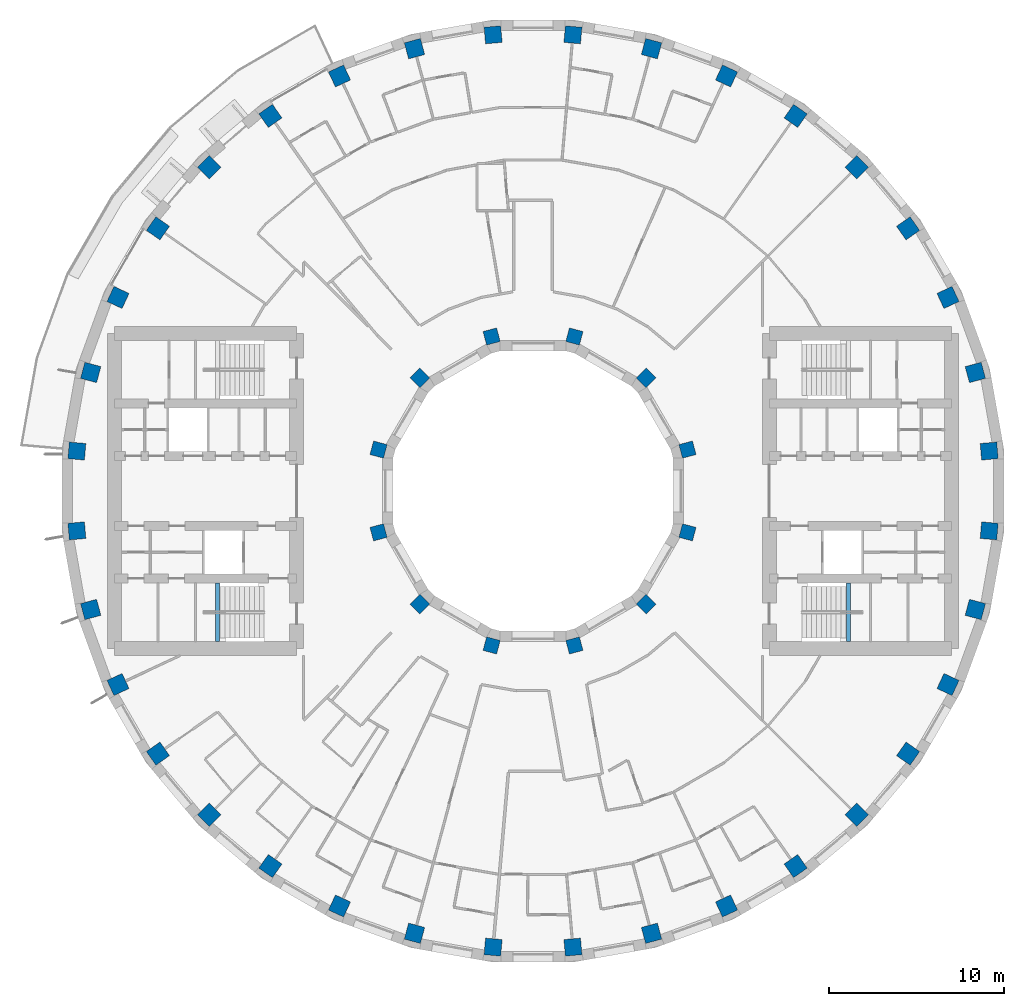
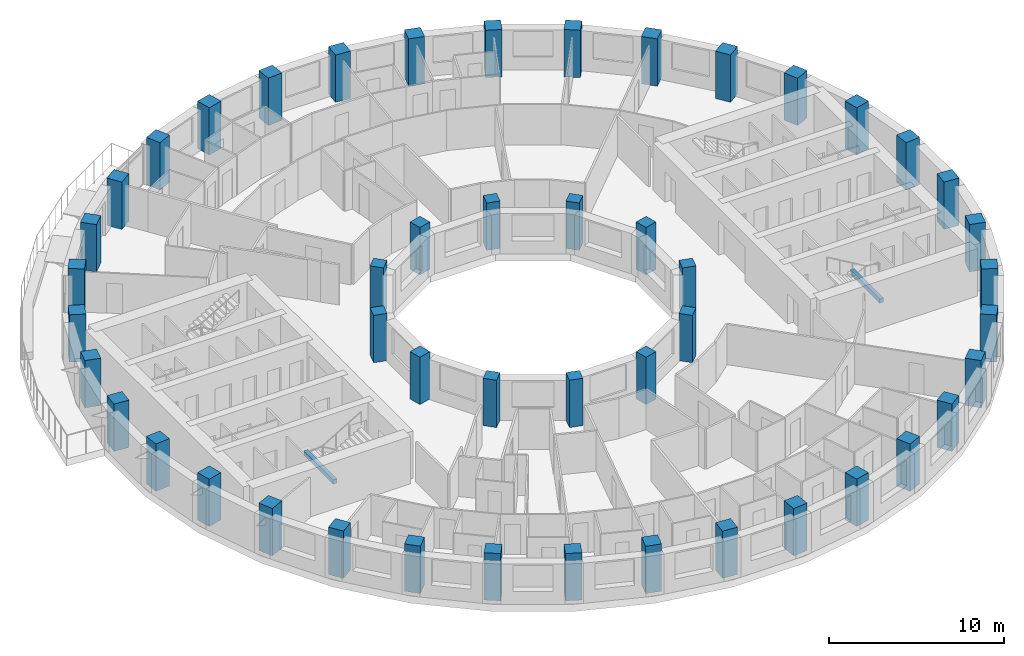
# One storey, part 1 of 15: 48 columns, 2 beams.
"""IFC4 building model written with IfcOpenShell, lengths in metres."""

from ifc_helpers import new_model, si_unit, direction, frame, origin, origin_2d, place, context, subcontext, project, spatial, rectangle, extrude, material, material_profile, profile_set, type_object, element, save


model = new_model("IFC4")

# Units and contexts
model_context = context("Model", 3, precision=1e-05, world=origin(), true_north=direction((0.0, 1.0)))
body_context = subcontext(model_context, "Body", "Model", "MODEL_VIEW")
ifc_project = project(units=[si_unit("LENGTHUNIT", "METRE"), si_unit("AREAUNIT", "SQUARE_METRE"), si_unit("VOLUMEUNIT", "CUBIC_METRE"), si_unit("PLANEANGLEUNIT", "RADIAN"), si_unit("MASSUNIT", "GRAM", prefix="KILO")], contexts=[model_context])

# Site, building, storey
site_placement = place(None, origin())
site = spatial("IfcSite", under=ifc_project, at=site_placement, CompositionType="ELEMENT")
building_placement = place(site_placement, origin())
building = spatial("IfcBuilding", under=site, at=building_placement, Name="Saqina Gate Tower", CompositionType="ELEMENT")
storey_placement = place(building_placement, frame((0.0, 0.0, 108.39990234375)))
storey = spatial("IfcBuildingStorey", under=building, at=storey_placement, Name="L30", CompositionType="ELEMENT", Elevation=108.39990234375)

# Columns
ifc_material_1 = material(Name="Concrete C70/85", Category="concrete")
ifc_material_profile_1 = material_profile(ifc_material_1, rectangle(XDim=0.800048828125, YDim=0.800048828125, at=origin_2d()), Name="RC 800x800")
ifc_profile_set_1 = profile_set([ifc_material_profile_1], Name="Concrete C70/85")
column_type_1 = type_object("IfcColumnType", Name="STR-COL-IN-B", PredefinedType="COLUMN", material=ifc_profile_set_1)
for number, where, z_axis, x_axis, name in (
    (1, (8.821044921875, 2.363525390625, 0.0), (0.0, 0.0, 1.0), (0.965925826289, 0.258819045103, 0.0), "L30-ICL01"),
    (2, (6.45751953125, 6.45751953125, 0.0), (0.0, 0.0, 1.0), (0.707106781187, 0.707106781187, 0.0), "L30-ICL02"),
    (3, (2.363525390625, 8.821044921875, 0.0), (0.0, 0.0, 1.0), (0.258819045103, 0.965925826289, 0.0), "L30-ICL03"),
    (4, (-2.363525390625, 8.821044921875, 0.0), (0.0, 0.0, 1.0), (-0.258819045103, 0.965925826289, 0.0), "L30-ICL04"),
    (5, (-6.45751953125, 6.45751953125, 0.0), (0.0, 0.0, 1.0), (-0.707106781187, 0.707106781187, 0.0), "L30-ICL05"),
    (6, (-8.821044921875, 2.363525390625, 0.0), (0.0, 0.0, 1.0), (-0.965925826289, 0.258819045103, 0.0), "L30-ICL06"),
    (7, (-8.821044921875, -2.363525390625, 0.0), (0.0, 0.0, 1.0), (-0.965925826289, -0.258819045103, 0.0), "L30-ICL07"),
    (8, (-6.45751953125, -6.45751953125, 0.0), (0.0, 0.0, 1.0), (-0.707106781187, -0.707106781187, 0.0), "L30-ICL08"),
    (9, (-2.363525390625, -8.821044921875, 0.0), (0.0, 0.0, 1.0), (-0.258819045103, -0.965925826289, 0.0), "L30-ICL09"),
    (10, (2.363525390625, -8.821044921875, 0.0), (0.0, 0.0, 1.0), (0.258819045103, -0.965925826289, 0.0), "L30-ICL10"),
    (11, (6.45751953125, -6.45751953125, 0.0), (0.0, 0.0, 1.0), (0.707106781187, -0.707106781187, 0.0), "L30-ICL11"),
    (12, (8.821044921875, -2.363525390625, 0.0), (0.0, 0.0, 1.0), (0.965925826289, -0.258819045103, 0.0), "L30-ICL12"),
):
    element("IfcColumn", number, at=place(storey_placement, frame(where, z_axis=z_axis, x_axis=x_axis)), inside=storey, type_object=column_type_1, Name=name, PredefinedType="COLUMN", context=body_context, shape_type="SweptSolid", body=[
        extrude(rectangle(XDim=0.800048828125, YDim=0.800048828125, at=origin_2d()), origin(), (0.0, 0.0, 1.0), 3.300048828125),
    ])
ifc_material_2 = material(Name="Concrete C70/85", Category="concrete")
ifc_material_profile_2 = material_profile(ifc_material_2, rectangle(XDim=0.949951171875, YDim=0.949951171875, at=origin_2d()), Name="RC 950x950")
ifc_profile_set_2 = profile_set([ifc_material_profile_2], Name="Concrete C70/85")
column_type_2 = type_object("IfcColumnType", Name="STR-COL-OUT-B", PredefinedType="COLUMN", material=ifc_profile_set_2)
for number, where, z_axis, x_axis, name in (
    (13, (26.050537109375, 2.279052734375, 0.0), (0.0, 0.0, 1.0), (0.996194698092, 0.087155742748, 0.0), "L30-COL01"),
    (14, (25.259033203125, 6.76806640625, 0.0), (0.0, 0.0, 1.0), (0.965925826289, 0.258819045103, 0.0), "L30-COL02"),
    (15, (23.699951171875, 11.051513671875, 0.0), (0.0, 0.0, 1.0), (0.906307787037, 0.422618261741, 0.0), "L30-COL03"),
    (16, (21.4208984375, 14.9990234375, 0.0), (0.0, 0.0, 1.0), (0.819152044289, 0.573576436351, 0.0), "L30-COL04"),
    (17, (18.49072265625, 18.49072265625, 0.0), (0.0, 0.0, 1.0), (0.707106781187, 0.707106781187, 0.0), "L30-COL05"),
    (18, (14.9990234375, 21.4208984375, 0.0), (0.0, 0.0, 1.0), (0.573576436351, 0.819152044289, 0.0), "L30-COL06"),
    (19, (11.051513671875, 23.699951171875, 0.0), (0.0, 0.0, 1.0), (0.422618261741, 0.906307787037, 0.0), "L30-COL07"),
    (20, (6.76806640625, 25.259033203125, 0.0), (0.0, 0.0, 1.0), (0.258819045103, 0.965925826289, 0.0), "L30-COL08"),
    (21, (2.279052734375, 26.050537109375, 0.0), (0.0, 0.0, 1.0), (0.087155742748, 0.996194698092, 0.0), "L30-COL09"),
    (22, (-2.279052734375, 26.050537109375, 0.0), (0.0, 0.0, 1.0), (-0.087155742748, 0.996194698092, 0.0), "L30-COL10"),
    (23, (-6.76806640625, 25.259033203125, 0.0), (0.0, 0.0, 1.0), (-0.258819045103, 0.965925826289, 0.0), "L30-COL11"),
    (24, (-11.051513671875, 23.699951171875, 0.0), (0.0, 0.0, 1.0), (-0.422618261741, 0.906307787037, 0.0), "L30-COL12"),
    (25, (-14.9990234375, 21.4208984375, 0.0), (0.0, 0.0, 1.0), (-0.573576436351, 0.819152044289, 0.0), "L30-COL13"),
    (26, (-18.49072265625, 18.49072265625, 0.0), (0.0, 0.0, 1.0), (-0.707106781187, 0.707106781187, 0.0), "L30-COL14"),
    (27, (-21.4208984375, 14.9990234375, 0.0), (0.0, 0.0, 1.0), (-0.819152044289, 0.573576436351, 0.0), "L30-COL15"),
    (28, (-23.699951171875, 11.051513671875, 0.0), (0.0, 0.0, 1.0), (-0.906307787037, 0.422618261741, 0.0), "L30-COL16"),
    (29, (-25.259033203125, 6.76806640625, 0.0), (0.0, 0.0, 1.0), (-0.965925826289, 0.258819045103, 0.0), "L30-COL17"),
    (30, (-26.050537109375, 2.279052734375, 0.0), (0.0, 0.0, 1.0), (-0.996194698092, 0.087155742748, 0.0), "L30-COL18"),
    (31, (-26.050537109375, -2.279052734375, 0.0), (0.0, 0.0, 1.0), (-0.996194698092, -0.087155742748, 0.0), "L30-COL19"),
    (32, (-25.259033203125, -6.76806640625, 0.0), (0.0, 0.0, 1.0), (-0.965925826289, -0.258819045103, 0.0), "L30-COL20"),
    (33, (-23.699951171875, -11.051513671875, 0.0), (0.0, 0.0, 1.0), (-0.906307787037, -0.422618261741, 0.0), "L30-COL21"),
    (34, (-21.4208984375, -14.9990234375, 0.0), (0.0, 0.0, 1.0), (-0.819152044289, -0.573576436351, 0.0), "L30-COL22"),
    (35, (-18.49072265625, -18.49072265625, 0.0), (0.0, 0.0, 1.0), (-0.707106781187, -0.707106781187, 0.0), "L30-COL23"),
    (36, (-14.9990234375, -21.4208984375, 0.0), (0.0, 0.0, 1.0), (-0.573576436351, -0.819152044289, 0.0), "L30-COL24"),
    (37, (-11.051513671875, -23.699951171875, 0.0), (0.0, 0.0, 1.0), (-0.422618261741, -0.906307787037, 0.0), "L30-COL25"),
    (38, (-6.76806640625, -25.259033203125, 0.0), (0.0, 0.0, 1.0), (-0.258819045103, -0.965925826289, 0.0), "L30-COL26"),
    (39, (-2.279052734375, -26.050537109375, 0.0), (0.0, 0.0, 1.0), (-0.087155742748, -0.996194698092, 0.0), "L30-COL27"),
    (40, (2.279052734375, -26.050537109375, 0.0), (0.0, 0.0, 1.0), (0.087155742748, -0.996194698092, 0.0), "L30-COL28"),
    (41, (6.76806640625, -25.259033203125, 0.0), (0.0, 0.0, 1.0), (0.258819045103, -0.965925826289, 0.0), "L30-COL29"),
    (42, (11.051513671875, -23.699951171875, 0.0), (0.0, 0.0, 1.0), (0.422618261741, -0.906307787037, 0.0), "L30-COL30"),
    (43, (14.9990234375, -21.4208984375, 0.0), (0.0, 0.0, 1.0), (0.573576436351, -0.819152044289, 0.0), "L30-COL31"),
    (44, (18.49072265625, -18.49072265625, 0.0), (0.0, 0.0, 1.0), (0.707106781187, -0.707106781187, 0.0), "L30-COL32"),
    (45, (21.4208984375, -14.9990234375, 0.0), (0.0, 0.0, 1.0), (0.819152044289, -0.573576436351, 0.0), "L30-COL33"),
    (46, (23.699951171875, -11.051513671875, 0.0), (0.0, 0.0, 1.0), (0.906307787037, -0.422618261741, 0.0), "L30-COL34"),
    (47, (25.259033203125, -6.76806640625, 0.0), (0.0, 0.0, 1.0), (0.965925826289, -0.258819045103, 0.0), "L30-COL35"),
    (48, (26.050537109375, -2.279052734375, 0.0), (0.0, 0.0, 1.0), (0.996194698092, -0.087155742748, 0.0), "L30-COL36"),
):
    element("IfcColumn", number, at=place(storey_placement, frame(where, z_axis=z_axis, x_axis=x_axis)), inside=storey, type_object=column_type_2, Name=name, PredefinedType="COLUMN", context=body_context, shape_type="SweptSolid", body=[
        extrude(rectangle(XDim=0.949951171875, YDim=0.949951171875, at=origin_2d()), origin(), (0.0, 0.0, 1.0), 3.300048828125),
    ])

# Beams
ifc_material_3 = material(Name="Concrete C40/50", Category="concrete")
ifc_material_profile_3 = material_profile(ifc_material_3, rectangle(XDim=0.25, YDim=0.300048828125, at=origin_2d()), Name="STAIR LANDING BEAM")
ifc_profile_set_3 = profile_set([ifc_material_profile_3], Name="Concrete C40/50")
beam_type = type_object("IfcBeamType", Name="STAIR LANDING BEAM", PredefinedType="BEAM", material=ifc_profile_set_3)
for number, where, z_axis, x_axis, name in (
    (49, (18.02001953125, -8.60009765625, 1.25), (0.0, 1.0, 0.0), (-1.0, 0.0, 0.0), "EXIT STAIR 2 LANDING BEAM"),
    (50, (-18.02001953125, -8.60009765625, 1.25), (0.0, 1.0, 0.0), (-1.0, 0.0, 0.0), "EXIT STAIR 4 LANDING BEAM"),
):
    element("IfcBeam", number, at=place(storey_placement, frame(where, z_axis=z_axis, x_axis=x_axis)), inside=storey, type_object=beam_type, Name=name, PredefinedType="BEAM", context=body_context, shape_type="SweptSolid", body=[
        extrude(rectangle(XDim=0.25, YDim=0.300048828125, at=origin_2d()), origin(), (0.0, 0.0, 1.0), 3.35009765625),
    ])

save(model, "model.ifc")
